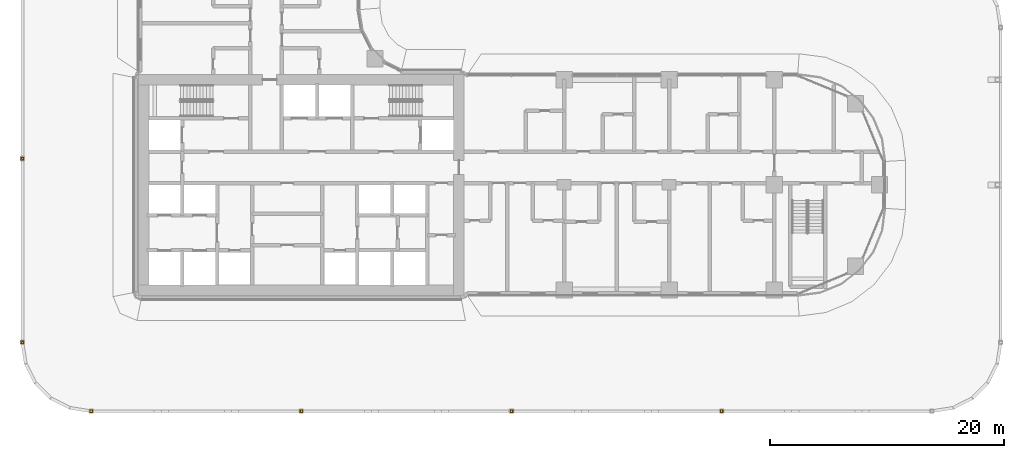
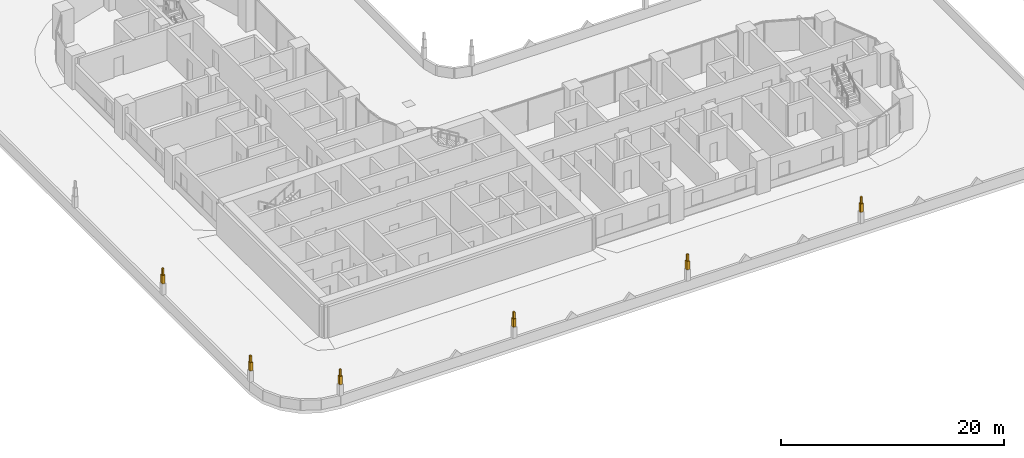
# One storey, part 48 of 51: 12 coverings.
"""IFC4 building model written with IfcOpenShell, lengths in metres."""

import ifcopenshell
import ifcopenshell.guid

model = None  # the IFC model being written
_history = None  # IfcOwnerHistory: only IFC2X3 demands one
_inside = {}  # id of a spatial element -> (the spatial element, [elements in it])
_under = {}  # id of a project, library or spatial element -> (it, [spatial elements below it])
_declared = {}  # id of a project -> (the project, [libraries it declares])
_typed = {}  # id of a type object -> (the type object, [elements of that type])
_made_of = {}  # id of a material, layer set ... -> (it, [elements and type objects made of it])


def new_model(schema):
    """Start an empty IFC model of exactly this schema.

    Asked for "IFC4X3", IfcOpenShell would pick the latest addendum, in which some entities
    have other attributes; the version numbers below select the first issue.
    IFC2X3 requires an IfcOwnerHistory on every rooted entity: one is made here for all.
    """
    global model, _history
    if schema == "IFC4X3":
        model = ifcopenshell.file(schema_version=(4, 3, 0, 0))
    else:
        model = ifcopenshell.file(schema=schema)
    _inside.clear()
    _under.clear()
    _declared.clear()
    _typed.clear()
    _made_of.clear()
    _history = None
    if model.schema == "IFC2X3":
        org = make("IfcOrganization", Name="unknown")
        user = make(
            "IfcPersonAndOrganization",
            ThePerson=make("IfcPerson", FamilyName="unknown"),
            TheOrganization=org,
        )
        app = make(
            "IfcApplication",
            ApplicationDeveloper=org,
            Version="unknown",
            ApplicationFullName="unknown",
            ApplicationIdentifier="unknown",
        )
        _history = make(
            "IfcOwnerHistory",
            OwningUser=user,
            OwningApplication=app,
            ChangeAction="ADDED",
            CreationDate=0,
        )
    return model


def make(cls, **values):
    """One entity of the class cls with the attributes given. An attribute that is None is left unset."""
    return model.create_entity(
        cls, **{name: value for name, value in values.items() if value is not None}
    )


def rooted(cls, **values):
    """An entity with a GlobalId (a new one), such as an element, a storey or a relation."""
    return make(cls, GlobalId=ifcopenshell.guid.new(), OwnerHistory=_history, **values)


def si_unit(unit_type, name, prefix=None):
    """IfcSIUnit, for example si_unit("LENGTHUNIT", "METRE", prefix="MILLI")."""
    return make("IfcSIUnit", UnitType=unit_type, Prefix=prefix, Name=name)


def assignment(units):
    """IfcUnitAssignment: the units of a project."""
    return None if units is None else make("IfcUnitAssignment", Units=units)


def point(xyz):
    """IfcCartesianPoint."""
    return None if xyz is None else make("IfcCartesianPoint", Coordinates=xyz)


def direction(xyz):
    """IfcDirection."""
    return None if xyz is None else make("IfcDirection", DirectionRatios=xyz)


def frame(location, z_axis=None, x_axis=None):
    """IfcAxis2Placement3D, a coordinate frame: its origin and axes. An axis left out is left unset."""
    return make(
        "IfcAxis2Placement3D",
        Location=point(location),
        Axis=direction(z_axis),
        RefDirection=direction(x_axis),
    )


def frame_2d(location, x_axis=None):
    """IfcAxis2Placement2D, a coordinate frame in the plane: its origin and x axis."""
    return make(
        "IfcAxis2Placement2D", Location=point(location), RefDirection=direction(x_axis)
    )


def origin():
    """The frame at (0, 0, 0) with its axes left unset."""
    return frame((0.0, 0.0, 0.0))


def origin_2d():
    """The frame at (0, 0) in the plane with its x axis left unset."""
    return frame_2d((0.0, 0.0))


def place(relative_to, where):
    """IfcLocalPlacement: puts the frame where relative to a parent placement (None: the world)."""
    return make(
        "IfcLocalPlacement", PlacementRelTo=relative_to, RelativePlacement=where
    )


def context(
    kind, dimensions, precision=None, world=None, true_north=None, identifier=None
):
    """IfcGeometricRepresentationContext, for example the 3D "Model" context."""
    return make(
        "IfcGeometricRepresentationContext",
        ContextIdentifier=identifier,
        ContextType=kind,
        CoordinateSpaceDimension=dimensions,
        Precision=precision,
        WorldCoordinateSystem=world,
        TrueNorth=true_north,
    )


def subcontext(parent, identifier, kind, view, scale=None):
    """IfcGeometricRepresentationSubContext, for example "Body" below "Model"."""
    return make(
        "IfcGeometricRepresentationSubContext",
        ContextIdentifier=identifier,
        ContextType=kind,
        ParentContext=parent,
        TargetScale=scale,
        TargetView=view,
    )


def project(units=None, contexts=None):
    """IfcProject with its units and contexts."""
    return rooted(
        "IfcProject",
        Name="project",
        RepresentationContexts=contexts,
        UnitsInContext=assignment(units),
    )


def spatial(cls, under=None, at=None, **own):
    """A site, building, storey or space (cls), placed at a placement, below another one or the project."""
    s = rooted(cls, ObjectPlacement=at, **own)
    if under is not None:
        _under.setdefault(under.id(), (under, []))[1].append(s)
    return s


def profile(cls, at=None, kind="AREA", **sizes):
    """A parametric profile (cls). Its sizes go by their IFC names, for example OverallWidth=200.0."""
    return make(cls, ProfileType=kind, Position=at, **sizes)


def rectangle(**sizes):
    """IfcRectangleProfileDef."""
    return profile("IfcRectangleProfileDef", **sizes)


def extrude(swept, where, along, depth):
    """IfcExtrudedAreaSolid: the profile swept, set in the frame where, extruded along a direction by depth."""
    return make(
        "IfcExtrudedAreaSolid",
        SweptArea=swept,
        Position=where,
        ExtrudedDirection=direction(along),
        Depth=depth,
    )


def shape(context_of_items, identifier, shape_type, items):
    """IfcShapeRepresentation: the items that make up one representation, for example the "Body"."""
    return make(
        "IfcShapeRepresentation",
        ContextOfItems=context_of_items,
        RepresentationIdentifier=identifier,
        RepresentationType=shape_type,
        Items=items,
    )


def material(Name=None, Category=None):
    """IfcMaterial."""
    return make("IfcMaterial", Name=Name, Category=Category)


def layer(
    of_material, thickness, ventilated=None, Name=None, Category=None, Priority=None
):
    """IfcMaterialLayer: one layer of a wall or slab, of a material (None: an air gap)."""
    return make(
        "IfcMaterialLayer",
        Material=of_material,
        LayerThickness=thickness,
        IsVentilated=ventilated,
        Name=Name,
        Category=Category,
        Priority=Priority,
    )


def layer_set(layers, Name=None):
    """IfcMaterialLayerSet."""
    return make("IfcMaterialLayerSet", MaterialLayers=layers, LayerSetName=Name)


def made_of(thing, what):
    """Note that an element or type object is made of a material, layer set ...; save() writes the relation."""
    if what is not None:
        _made_of.setdefault(what.id(), (what, []))[1].append(thing)
    return thing


def type_object(cls, material=None, **own):
    """A type object (cls), such as IfcWallType, which elements share."""
    return made_of(rooted(cls, **own), material)


def element(
    cls,
    number,
    at=None,
    inside=None,
    cuts=None,
    type_object=None,
    material=None,
    context=None,
    identifier="Body",
    shape_type=None,
    held_by="IfcProductDefinitionShape",
    body=None,
    shapes=None,
    **own,
):
    """One element of the class cls, such as IfcWall. Its Tag is "e" and its number.

    at: its placement. inside: the storey or other place that contains it. cuts: it is an
    opening in that element (IfcRelVoidsElement). A single representation is given by context,
    identifier, shape_type and body (its items); several are given by shapes. held_by: the class
    of the entity that holds the representations. save() writes the other relations.
    """
    e = rooted(cls, Tag="e%d" % number, ObjectPlacement=at, **own)
    if body is not None:
        shapes = [shape(context, identifier, shape_type, body)]
    if shapes is not None:
        e.Representation = make(held_by, Representations=shapes)
    if inside is not None:
        _inside.setdefault(inside.id(), (inside, []))[1].append(e)
    if cuts is not None:
        rooted(
            "IfcRelVoidsElement", RelatingBuildingElement=cuts, RelatedOpeningElement=e
        )
    if type_object is not None:
        _typed.setdefault(type_object.id(), (type_object, []))[1].append(e)
    return made_of(e, material)


def aggregate(whole, parts):
    """IfcRelAggregates: a whole, such as a stair, and the parts it consists of."""
    return rooted("IfcRelAggregates", RelatingObject=whole, RelatedObjects=parts)


def save(model, path):
    """Write the relations noted so far, then the file.

    IfcRelAggregates (storeys below a building ...), IfcRelContainedInSpatialStructure (elements
    in a storey), IfcRelDefinesByType, IfcRelAssociatesMaterial and IfcRelDeclares: one each for
    every whole, place, type object, material and project.
    """
    for whole, parts in _under.values():
        aggregate(whole, parts)
    for where, things in _inside.values():
        rooted(
            "IfcRelContainedInSpatialStructure",
            RelatedElements=things,
            RelatingStructure=where,
        )
    for kind, things in _typed.values():
        rooted("IfcRelDefinesByType", RelatedObjects=things, RelatingType=kind)
    for what, things in _made_of.values():
        rooted("IfcRelAssociatesMaterial", RelatedObjects=things, RelatingMaterial=what)
    for by, libraries in _declared.values():
        rooted("IfcRelDeclares", RelatingContext=by, RelatedDefinitions=libraries)
    model.write(path)


model = new_model("IFC4")

# Units and contexts
model_context = context("Model", 3, precision=1e-05, world=origin(), true_north=direction((0.0, 1.0)))
body_context = subcontext(model_context, "Body", "Model", "MODEL_VIEW")
ifc_project = project(units=[si_unit("LENGTHUNIT", "METRE"), si_unit("AREAUNIT", "SQUARE_METRE"), si_unit("VOLUMEUNIT", "CUBIC_METRE"), si_unit("PLANEANGLEUNIT", "RADIAN"), si_unit("MASSUNIT", "GRAM", prefix="KILO")], contexts=[model_context])

# Site, building, storey
site_placement = place(None, origin())
site = spatial("IfcSite", under=ifc_project, at=site_placement, CompositionType="ELEMENT")
building_placement = place(site_placement, origin())
building = spatial("IfcBuilding", under=site, at=building_placement, Name="Ogive Portal Towers", CompositionType="ELEMENT")
storey_placement = place(building_placement, frame((0.0, 0.0, 33.5)))
storey = spatial("IfcBuildingStorey", under=building, at=storey_placement, Name="L06", CompositionType="ELEMENT", Elevation=33.5)

# Coverings
ifc_material = material(Name="Limestone cladding on lightweight block wall", Category="masonry")
ifc_layer_1 = layer(ifc_material, 0.179931640625)
ifc_layer_set_1 = layer_set([ifc_layer_1], Name="PINNACLE FINIAL STONE")
covering_type_1 = type_object("IfcCoveringType", Name="PINNACLE FINIAL STONE", PredefinedType="CLADDING", material=ifc_layer_set_1)
for number, where, z_axis, x_axis, name in (
    (1, (21.125, 32.759765625, 3.2001953125), (0.0, 0.0, 1.0), (1.0, 0.0, 0.0), "PINNACLE"),
    (2, (21.125, 17.019775390625, 3.2001953125), (0.0, 0.0, 1.0), (1.0, 0.0, 0.0), "PINNACLE"),
    (3, (27.019775390625, 11.125, 3.2001953125), (0.0, 0.0, 1.0), (1.0, 0.0, 0.0), "PINNACLE"),
    (4, (45.009765625, 11.125, 3.2001953125), (0.0, 0.0, 1.0), (1.0, 0.0, 0.0), "PINNACLE"),
    (5, (63.0, 11.125, 3.2001953125), (0.0, 0.0, 1.0), (1.0, 0.0, 0.0), "PINNACLE"),
    (6, (80.990234375, 11.125, 3.2001953125), (0.0, 0.0, 1.0), (1.0, 0.0, 0.0), "PINNACLE"),
):
    element("IfcCovering", number, at=place(storey_placement, frame(where, z_axis=z_axis, x_axis=x_axis)), inside=storey, type_object=covering_type_1, Name=name, PredefinedType="CLADDING", context=body_context, shape_type="SweptSolid", body=[
        extrude(rectangle(XDim=0.179931640625, YDim=0.179931640625, at=origin_2d()), origin(), (0.0, 0.0, 1.0), 0.699951171875),
    ])
ifc_layer_2 = layer(ifc_material, 0.300048828125)
ifc_layer_set_2 = layer_set([ifc_layer_2], Name="PINNACLE MID STONE")
covering_type_2 = type_object("IfcCoveringType", Name="PINNACLE MID STONE", PredefinedType="CLADDING", material=ifc_layer_set_2)
for number, where, z_axis, x_axis, name in (
    (7, (21.125, 32.759765625, 2.300048828125), (0.0, 0.0, 1.0), (1.0, 0.0, 0.0), "PINNACLE"),
    (8, (21.125, 17.019775390625, 2.300048828125), (0.0, 0.0, 1.0), (1.0, 0.0, 0.0), "PINNACLE"),
    (9, (27.019775390625, 11.125, 2.300048828125), (0.0, 0.0, 1.0), (1.0, 0.0, 0.0), "PINNACLE"),
    (10, (45.009765625, 11.125, 2.300048828125), (0.0, 0.0, 1.0), (1.0, 0.0, 0.0), "PINNACLE"),
    (11, (63.0, 11.125, 2.300048828125), (0.0, 0.0, 1.0), (1.0, 0.0, 0.0), "PINNACLE"),
    (12, (80.990234375, 11.125, 2.300048828125), (0.0, 0.0, 1.0), (1.0, 0.0, 0.0), "PINNACLE"),
):
    element("IfcCovering", number, at=place(storey_placement, frame(where, z_axis=z_axis, x_axis=x_axis)), inside=storey, type_object=covering_type_2, Name=name, PredefinedType="CLADDING", context=body_context, shape_type="SweptSolid", body=[
        extrude(rectangle(XDim=0.300048828125, YDim=0.300048828125, at=origin_2d()), origin(), (0.0, 0.0, 1.0), 0.89990234375),
    ])

save(model, "model.ifc")
